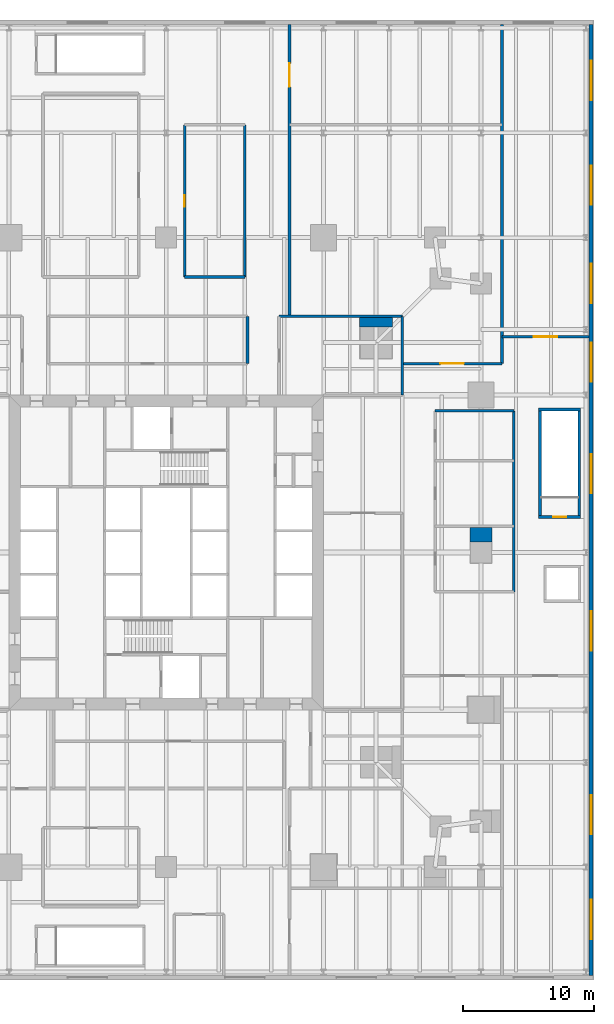
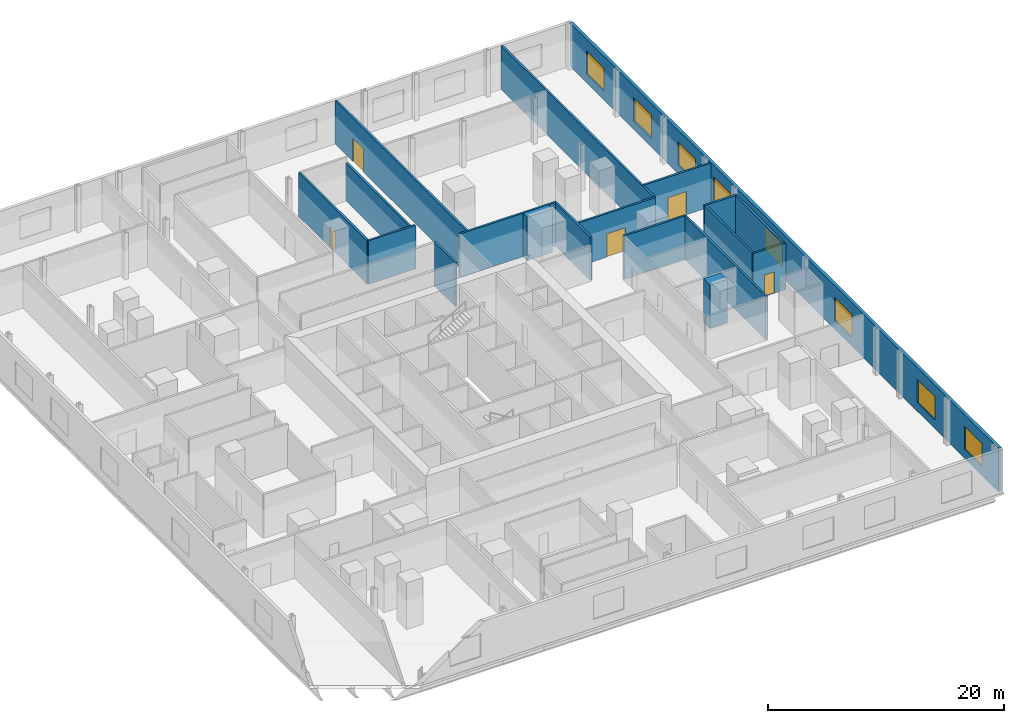
# One storey, part 13 of 15: 19 walls, 8 windows, 5 doors, 13 openings.
"""IFC4 building model written with IfcOpenShell, lengths in metres."""

from ifc_helpers import new_model, si_unit, direction, frame, frame_2d, origin, place, context, subcontext, project, spatial, rectangle, extrude, material, layer, layer_set, type_object, element, fill, save


model = new_model("IFC4")

# Units and contexts
model_context = context("Model", 3, precision=1e-05, world=origin(), true_north=direction((0.0, 1.0)))
body_context = subcontext(model_context, "Body", "Model", "MODEL_VIEW")
ifc_project = project(units=[si_unit("LENGTHUNIT", "METRE"), si_unit("AREAUNIT", "SQUARE_METRE"), si_unit("VOLUMEUNIT", "CUBIC_METRE"), si_unit("PLANEANGLEUNIT", "RADIAN"), si_unit("MASSUNIT", "GRAM", prefix="KILO")], contexts=[model_context])

# Site, building, storey
site_placement = place(None, origin())
site = spatial("IfcSite", under=ifc_project, at=site_placement, CompositionType="ELEMENT")
building_placement = place(site_placement, origin())
building = spatial("IfcBuilding", under=site, at=building_placement, Name="Fenwick Lantern Interchange", CompositionType="ELEMENT")
storey_placement = place(building_placement, frame((0.0, 0.0, 26.199951171875)))
storey = spatial("IfcBuildingStorey", under=building, at=storey_placement, Name="L05", CompositionType="ELEMENT", Elevation=26.199951171875)

# Walls
ifc_material_1 = material(Name="Fire-rated gypsum board encasement on steel studs, 2 hour", Category="steel")
ifc_layer_1 = layer(ifc_material_1, 1.699951171875)
ifc_layer_set_1 = layer_set([ifc_layer_1], Name="COLUMN PIER 1700")
wall_type_1 = type_object("IfcWallType", Name="COLUMN PIER 1700", PredefinedType="PARTITIONING", material=ifc_layer_set_1)
wall_1_placement = place(storey_placement, frame((49.0, 26.89990234375, 0.0), z_axis=(0.0, 0.0, 1.0), x_axis=(0.0, -1.0, 0.0)))
element("IfcWall", 1, at=wall_1_placement, inside=storey, type_object=wall_type_1, Name="L05/W/PIER/CE3", PredefinedType="PARTITIONING", context=body_context, shape_type="SweptSolid", body=[
    extrude(rectangle(XDim=1.099853515625, YDim=1.699951171875, at=frame_2d((0.5498046875, 0.0))), origin(), (0.0, 0.0, 1.0), 4.5),
])
ifc_layer_2 = layer(ifc_material_1, 2.5)
ifc_layer_set_2 = layer_set([ifc_layer_2], Name="COLUMN PIER 2500")
wall_type_2 = type_object("IfcWallType", Name="COLUMN PIER 2500", PredefinedType="PARTITIONING", material=ifc_layer_set_2)
wall_2_placement = place(storey_placement, frame((41.0, 42.89990234375, 0.0), z_axis=(0.0, 0.0, 1.0), x_axis=(0.0, -1.0, 0.0)))
element("IfcWall", 2, at=wall_2_placement, inside=storey, type_object=wall_type_2, Name="L05/W/PIER/M3", PredefinedType="PARTITIONING", context=body_context, shape_type="SweptSolid", body=[
    extrude(rectangle(XDim=0.699951171875, YDim=2.5, at=frame_2d((0.35009765625, 0.0))), origin(), (0.0, 0.0, 1.0), 4.5),
])

# Wall, openings, windows
ifc_material_2 = material(Name="Limestone ASTM C568 Classification II", Category="masonry")
ifc_layer_3 = layer(ifc_material_2, 0.074951171875)
ifc_material_3 = material(Name="Mineral wool insulation")
ifc_layer_4 = layer(ifc_material_3, 0.125)
ifc_material_4 = material(Name="Cold-formed galvanised steel studs", Category="steel")
ifc_layer_5 = layer(ifc_material_4, 0.10009765625)
ifc_layer_set_3 = layer_set([ifc_layer_3, ifc_layer_4, ifc_layer_5], Name="Limestone ASTM C568 Classification II")
wall_type_3 = type_object("IfcWallType", Name="LIMESTONE RAINSCREEN WALL 300", PredefinedType="SOLIDWALL", material=ifc_layer_set_3)
wall_3_placement = place(storey_placement, frame((57.39990234375, -7.25, 0.0), z_axis=(0.0, 0.0, 1.0), x_axis=(0.0, 1.0, 0.0)))
wall_3 = element("IfcWall", 3, at=wall_3_placement, inside=storey, type_object=wall_type_3, Name="L05/EW/E", PredefinedType="SOLIDWALL", context=body_context, shape_type="SweptSolid", body=[
    extrude(rectangle(XDim=72.5, YDim=0.300048828125, at=frame_2d((36.25, 0.0))), origin(), (0.0, 0.0, 1.0), 4.5),
])
opening_1_placement = place(wall_3_placement, frame((2.75, 0.0, 0.89990234375)))
opening_1 = element("IfcOpeningElement", 4, at=opening_1_placement, cuts=wall_3, Name="Opening W1", PredefinedType="OPENING", context=body_context, shape_type="SweptSolid", body=[
    extrude(rectangle(XDim=3.0, YDim=2.39990234375, at=frame_2d((1.5, 1.199951171875))), frame((0.0, 0.159912109375, 0.0), z_axis=(0.0, -1.0, 0.0), x_axis=(1.0, 0.0, 0.0)), (0.0, 0.0, 1.0), 0.320068359375),
])
opening_2_placement = place(wall_3_placement, frame((10.75, 0.0, 0.89990234375)))
opening_2 = element("IfcOpeningElement", 5, at=opening_2_placement, cuts=wall_3, Name="Opening W1", PredefinedType="OPENING", context=body_context, shape_type="SweptSolid", body=[
    extrude(rectangle(XDim=3.0, YDim=2.39990234375, at=frame_2d((1.5, 1.199951171875))), frame((0.0, 0.159912109375, 0.0), z_axis=(0.0, -1.0, 0.0), x_axis=(1.0, 0.0, 0.0)), (0.0, 0.0, 1.0), 0.320068359375),
])
opening_3_placement = place(wall_3_placement, frame((24.75, 0.0, 0.89990234375)))
opening_3 = element("IfcOpeningElement", 6, at=opening_3_placement, cuts=wall_3, Name="Opening W1", PredefinedType="OPENING", context=body_context, shape_type="SweptSolid", body=[
    extrude(rectangle(XDim=3.0, YDim=2.39990234375, at=frame_2d((1.5, 1.199951171875))), frame((0.0, 0.159912109375, 0.0), z_axis=(0.0, -1.0, 0.0), x_axis=(1.0, 0.0, 0.0)), (0.0, 0.0, 1.0), 0.320068359375),
])
opening_4_placement = place(wall_3_placement, frame((36.75, 0.0, 0.89990234375)))
opening_4 = element("IfcOpeningElement", 7, at=opening_4_placement, cuts=wall_3, Name="Opening W1", PredefinedType="OPENING", context=body_context, shape_type="SweptSolid", body=[
    extrude(rectangle(XDim=3.0, YDim=2.39990234375, at=frame_2d((1.5, 1.199951171875))), frame((0.0, 0.159912109375, 0.0), z_axis=(0.0, -1.0, 0.0), x_axis=(1.0, 0.0, 0.0)), (0.0, 0.0, 1.0), 0.320068359375),
])
opening_5_placement = place(wall_3_placement, frame((45.25, 0.0, 0.89990234375)))
opening_5 = element("IfcOpeningElement", 8, at=opening_5_placement, cuts=wall_3, Name="Opening W1", PredefinedType="OPENING", context=body_context, shape_type="SweptSolid", body=[
    extrude(rectangle(XDim=3.0, YDim=2.39990234375, at=frame_2d((1.5, 1.199951171875))), frame((0.0, 0.159912109375, 0.0), z_axis=(0.0, -1.0, 0.0), x_axis=(1.0, 0.0, 0.0)), (0.0, 0.0, 1.0), 0.320068359375),
])
opening_6_placement = place(wall_3_placement, frame((51.25, 0.0, 0.89990234375)))
opening_6 = element("IfcOpeningElement", 9, at=opening_6_placement, cuts=wall_3, Name="Opening W1", PredefinedType="OPENING", context=body_context, shape_type="SweptSolid", body=[
    extrude(rectangle(XDim=3.0, YDim=2.39990234375, at=frame_2d((1.5, 1.199951171875))), frame((0.0, 0.159912109375, 0.0), z_axis=(0.0, -1.0, 0.0), x_axis=(1.0, 0.0, 0.0)), (0.0, 0.0, 1.0), 0.320068359375),
])
opening_7_placement = place(wall_3_placement, frame((58.75, 0.0, 0.89990234375)))
opening_7 = element("IfcOpeningElement", 10, at=opening_7_placement, cuts=wall_3, Name="Opening W1", PredefinedType="OPENING", context=body_context, shape_type="SweptSolid", body=[
    extrude(rectangle(XDim=3.0, YDim=2.39990234375, at=frame_2d((1.5, 1.199951171875))), frame((0.0, 0.159912109375, 0.0), z_axis=(0.0, -1.0, 0.0), x_axis=(1.0, 0.0, 0.0)), (0.0, 0.0, 1.0), 0.320068359375),
])
opening_8_placement = place(wall_3_placement, frame((66.75, 0.0, 0.89990234375)))
opening_8 = element("IfcOpeningElement", 11, at=opening_8_placement, cuts=wall_3, Name="Opening W1", PredefinedType="OPENING", context=body_context, shape_type="SweptSolid", body=[
    extrude(rectangle(XDim=3.0, YDim=2.39990234375, at=frame_2d((1.5, 1.199951171875))), frame((0.0, 0.159912109375, 0.0), z_axis=(0.0, -1.0, 0.0), x_axis=(1.0, 0.0, 0.0)), (0.0, 0.0, 1.0), 0.320068359375),
])
ifc_material_5 = material(Name="Aluminium window, clear glass", Category="aluminium")
window_type = type_object("IfcWindowType", Name="PODIUM WINDOW 3000 X 2400", PartitioningType="SINGLE_PANEL", PredefinedType="WINDOW", material=ifc_material_5)
window_1_placement = place(opening_1_placement, origin())
window_1 = element("IfcWindow", 12, at=window_1_placement, inside=storey, type_object=window_type, Name="Podium window", OverallHeight=2.39990234375, OverallWidth=3.0, PartitioningType="SINGLE_PANEL", PredefinedType="WINDOW", context=body_context, shape_type="SweptSolid", body=[
    extrude(rectangle(XDim=3.0, YDim=2.39990234375, at=frame_2d((1.5, 1.199951171875))), frame((0.0, 0.030029296875, 0.0), z_axis=(0.0, -1.0, 0.0), x_axis=(1.0, 0.0, 0.0)), (0.0, 0.0, 1.0), 0.06005859375),
])
fill(opening_1, window_1)
window_2_placement = place(opening_2_placement, origin())
window_2 = element("IfcWindow", 13, at=window_2_placement, inside=storey, type_object=window_type, Name="Podium window", OverallHeight=2.39990234375, OverallWidth=3.0, PartitioningType="SINGLE_PANEL", PredefinedType="WINDOW", context=body_context, shape_type="SweptSolid", body=[
    extrude(rectangle(XDim=3.0, YDim=2.39990234375, at=frame_2d((1.5, 1.199951171875))), frame((0.0, 0.030029296875, 0.0), z_axis=(0.0, -1.0, 0.0), x_axis=(1.0, 0.0, 0.0)), (0.0, 0.0, 1.0), 0.06005859375),
])
fill(opening_2, window_2)
window_3_placement = place(opening_3_placement, origin())
window_3 = element("IfcWindow", 14, at=window_3_placement, inside=storey, type_object=window_type, Name="Podium window", OverallHeight=2.39990234375, OverallWidth=3.0, PartitioningType="SINGLE_PANEL", PredefinedType="WINDOW", context=body_context, shape_type="SweptSolid", body=[
    extrude(rectangle(XDim=3.0, YDim=2.39990234375, at=frame_2d((1.5, 1.199951171875))), frame((0.0, 0.030029296875, 0.0), z_axis=(0.0, -1.0, 0.0), x_axis=(1.0, 0.0, 0.0)), (0.0, 0.0, 1.0), 0.06005859375),
])
fill(opening_3, window_3)
window_4_placement = place(opening_4_placement, origin())
window_4 = element("IfcWindow", 15, at=window_4_placement, inside=storey, type_object=window_type, Name="Podium window", OverallHeight=2.39990234375, OverallWidth=3.0, PartitioningType="SINGLE_PANEL", PredefinedType="WINDOW", context=body_context, shape_type="SweptSolid", body=[
    extrude(rectangle(XDim=3.0, YDim=2.39990234375, at=frame_2d((1.5, 1.199951171875))), frame((0.0, 0.030029296875, 0.0), z_axis=(0.0, -1.0, 0.0), x_axis=(1.0, 0.0, 0.0)), (0.0, 0.0, 1.0), 0.06005859375),
])
fill(opening_4, window_4)
window_5_placement = place(opening_5_placement, origin())
window_5 = element("IfcWindow", 16, at=window_5_placement, inside=storey, type_object=window_type, Name="Podium window", OverallHeight=2.39990234375, OverallWidth=3.0, PartitioningType="SINGLE_PANEL", PredefinedType="WINDOW", context=body_context, shape_type="SweptSolid", body=[
    extrude(rectangle(XDim=3.0, YDim=2.39990234375, at=frame_2d((1.5, 1.199951171875))), frame((0.0, 0.030029296875, 0.0), z_axis=(0.0, -1.0, 0.0), x_axis=(1.0, 0.0, 0.0)), (0.0, 0.0, 1.0), 0.06005859375),
])
fill(opening_5, window_5)
window_6_placement = place(opening_6_placement, origin())
window_6 = element("IfcWindow", 17, at=window_6_placement, inside=storey, type_object=window_type, Name="Podium window", OverallHeight=2.39990234375, OverallWidth=3.0, PartitioningType="SINGLE_PANEL", PredefinedType="WINDOW", context=body_context, shape_type="SweptSolid", body=[
    extrude(rectangle(XDim=3.0, YDim=2.39990234375, at=frame_2d((1.5, 1.199951171875))), frame((0.0, 0.030029296875, 0.0), z_axis=(0.0, -1.0, 0.0), x_axis=(1.0, 0.0, 0.0)), (0.0, 0.0, 1.0), 0.06005859375),
])
fill(opening_6, window_6)
window_7_placement = place(opening_7_placement, origin())
window_7 = element("IfcWindow", 18, at=window_7_placement, inside=storey, type_object=window_type, Name="Podium window", OverallHeight=2.39990234375, OverallWidth=3.0, PartitioningType="SINGLE_PANEL", PredefinedType="WINDOW", context=body_context, shape_type="SweptSolid", body=[
    extrude(rectangle(XDim=3.0, YDim=2.39990234375, at=frame_2d((1.5, 1.199951171875))), frame((0.0, 0.030029296875, 0.0), z_axis=(0.0, -1.0, 0.0), x_axis=(1.0, 0.0, 0.0)), (0.0, 0.0, 1.0), 0.06005859375),
])
fill(opening_7, window_7)
window_8_placement = place(opening_8_placement, origin())
window_8 = element("IfcWindow", 19, at=window_8_placement, inside=storey, type_object=window_type, Name="Podium window", OverallHeight=2.39990234375, OverallWidth=3.0, PartitioningType="SINGLE_PANEL", PredefinedType="WINDOW", context=body_context, shape_type="SweptSolid", body=[
    extrude(rectangle(XDim=3.0, YDim=2.39990234375, at=frame_2d((1.5, 1.199951171875))), frame((0.0, 0.030029296875, 0.0), z_axis=(0.0, -1.0, 0.0), x_axis=(1.0, 0.0, 0.0)), (0.0, 0.0, 1.0), 0.06005859375),
])
fill(opening_8, window_8)

# Wall, opening, door
ifc_material_6 = material(Name="Gypsum board on steel studs, 1 hour", Category="steel")
ifc_layer_6 = layer(ifc_material_6, 0.199951171875)
ifc_layer_set_4 = layer_set([ifc_layer_6], Name="ROOM WALL 200")
wall_type_4 = type_object("IfcWallType", Name="ROOM WALL 200", PredefinedType="PARTITIONING", material=ifc_layer_set_4)
wall_4_placement = place(storey_placement, frame((26.39990234375, 46.0, 0.0), z_axis=(0.0, 0.0, 1.0), x_axis=(0.0, 1.0, 0.0)))
wall_4 = element("IfcWall", 20, at=wall_4_placement, inside=storey, type_object=wall_type_4, Name="L05/W/POD/X26.4-1", PredefinedType="PARTITIONING", context=body_context, shape_type="SweptSolid", body=[
    extrude(rectangle(XDim=11.60009765625, YDim=0.199951171875, at=frame_2d((5.800048828125, 0.0))), origin(), (0.0, 0.0, 1.0), 4.5),
])
opening_9_placement = place(wall_4_placement, frame((5.35009765625, 0.0, 0.0)))
opening_9 = element("IfcOpeningElement", 21, at=opening_9_placement, cuts=wall_4, Name="Opening L05-D047", PredefinedType="OPENING", context=body_context, shape_type="SweptSolid", body=[
    extrude(rectangle(XDim=0.89990234375, YDim=2.199951171875, at=frame_2d((0.449951171875, 1.10009765625))), frame((0.0, 0.10986328125, 0.0), z_axis=(0.0, -1.0, 0.0), x_axis=(1.0, 0.0, 0.0)), (0.0, 0.0, 1.0), 0.219970703125),
])
ifc_material_7 = material(Name="Hardwood door and steel frame", Category="steel")
door_type_1 = type_object("IfcDoorType", Name="OFFICE DOOR 900 X 2200", OperationType="SINGLE_SWING_LEFT", PredefinedType="DOOR", material=ifc_material_7)
door_1_placement = place(opening_9_placement, frame((0.89990234375, 0.0, 0.0), z_axis=(0.0, 0.0, 1.0), x_axis=(-1.0, 0.0, 0.0)))
door_1 = element("IfcDoor", 22, at=door_1_placement, inside=storey, type_object=door_type_1, Name="Office door", OperationType="SINGLE_SWING_RIGHT", OverallHeight=2.199951171875, OverallWidth=0.89990234375, PredefinedType="DOOR", context=body_context, shape_type="SweptSolid", body=[
    extrude(rectangle(XDim=0.89990234375, YDim=2.199951171875, at=frame_2d((0.449951171875, 1.10009765625))), frame((0.0, 0.02490234375, 0.0), z_axis=(0.0, -1.0, 0.0), x_axis=(1.0, 0.0, 0.0)), (0.0, 0.0, 1.0), 0.050048828125),
])
fill(opening_9, door_1)

# Walls
wall_5_placement = place(storey_placement, frame((31.0, 46.0, 0.0), z_axis=(0.0, 0.0, 1.0), x_axis=(0.0, 1.0, 0.0)))
element("IfcWall", 23, at=wall_5_placement, inside=storey, type_object=wall_type_4, Name="L05/W/POD/X31-1", PredefinedType="PARTITIONING", context=body_context, shape_type="SweptSolid", body=[
    extrude(rectangle(XDim=11.60009765625, YDim=0.199951171875, at=frame_2d((5.800048828125, 0.0))), origin(), (0.0, 0.0, 1.0), 3.89306640625),
])
wall_6_placement = place(storey_placement, frame((31.199951171875, 39.39990234375, 0.0), z_axis=(0.0, 0.0, 1.0), x_axis=(0.0, 1.0, 0.0)))
element("IfcWall", 24, at=wall_6_placement, inside=storey, type_object=wall_type_4, Name="L05/W/POD/X31.2-1", PredefinedType="PARTITIONING", context=body_context, shape_type="SweptSolid", body=[
    extrude(rectangle(XDim=3.60009765625, YDim=0.199951171875, at=frame_2d((1.800048828125, 0.0))), origin(), (0.0, 0.0, 1.0), 4.5),
])

# Wall, opening, door
wall_7_placement = place(storey_placement, frame((34.39990234375, 43.0, 0.0), z_axis=(0.0, 0.0, 1.0), x_axis=(0.0, 1.0, 0.0)))
wall_7 = element("IfcWall", 25, at=wall_7_placement, inside=storey, type_object=wall_type_4, Name="L05/W/POD/X34.4-2", PredefinedType="PARTITIONING", context=body_context, shape_type="SweptSolid", body=[
    extrude(rectangle(XDim=22.25, YDim=0.199951171875, at=frame_2d((11.125, 0.0))), origin(), (0.0, 0.0, 1.0), 4.5),
])
opening_10_placement = place(wall_7_placement, frame((17.5, 0.0, 0.0)))
opening_10 = element("IfcOpeningElement", 26, at=opening_10_placement, cuts=wall_7, Name="Opening L05-D031", PredefinedType="OPENING", context=body_context, shape_type="SweptSolid", body=[
    extrude(rectangle(XDim=1.800048828125, YDim=2.39990234375, at=frame_2d((0.89990234375, 1.199951171875))), frame((0.0, 0.10986328125, 0.0), z_axis=(0.0, -1.0, 0.0), x_axis=(1.0, 0.0, 0.0)), (0.0, 0.0, 1.0), 0.219970703125),
])
ifc_material_8 = material(Name="Steel door and frame", Category="steel")
door_type_2 = type_object("IfcDoorType", Name="ROOM DOOR PAIR 1800 X 2400", OperationType="DOUBLE_DOOR_SINGLE_SWING", PredefinedType="DOOR", material=ifc_material_8)
door_2_placement = place(opening_10_placement, origin())
door_2 = element("IfcDoor", 27, at=door_2_placement, inside=storey, type_object=door_type_2, Name="Room door pair", OperationType="DOUBLE_DOOR_SINGLE_SWING", OverallHeight=2.39990234375, OverallWidth=1.800048828125, PredefinedType="DOOR", context=body_context, shape_type="SweptSolid", body=[
    extrude(rectangle(XDim=1.800048828125, YDim=2.39990234375, at=frame_2d((0.89990234375, 1.199951171875))), frame((0.0, 0.02490234375, 0.0), z_axis=(0.0, -1.0, 0.0), x_axis=(1.0, 0.0, 0.0)), (0.0, 0.0, 1.0), 0.050048828125),
])
fill(opening_10, door_2)

# Walls
wall_8_placement = place(storey_placement, frame((43.0, 37.0, 0.0), z_axis=(0.0, 0.0, 1.0), x_axis=(0.0, 1.0, 0.0)))
element("IfcWall", 28, at=wall_8_placement, inside=storey, type_object=wall_type_4, Name="L05/W/POD/X43-2", PredefinedType="PARTITIONING", context=body_context, shape_type="SweptSolid", body=[
    extrude(rectangle(XDim=6.0, YDim=0.199951171875, at=frame_2d((3.0, 0.0))), origin(), (0.0, 0.0, 1.0), 4.5),
])
wall_9_placement = place(storey_placement, frame((50.60009765625, 39.39990234375, 0.0), z_axis=(0.0, 0.0, 1.0), x_axis=(0.0, 1.0, 0.0)))
element("IfcWall", 29, at=wall_9_placement, inside=storey, type_object=wall_type_4, Name="L05/W/POD/X50.6-2", PredefinedType="PARTITIONING", context=body_context, shape_type="SweptSolid", body=[
    extrude(rectangle(XDim=25.85009765625, YDim=0.199951171875, at=frame_2d((12.925048828125, 0.0))), origin(), (0.0, 0.0, 1.0), 4.5),
])
wall_10_placement = place(storey_placement, frame((51.5, 22.0, 0.0), z_axis=(0.0, 0.0, 1.0), x_axis=(0.0, 1.0, 0.0)))
element("IfcWall", 30, at=wall_10_placement, inside=storey, type_object=wall_type_4, Name="L05/W/POD/X51.5-1", PredefinedType="PARTITIONING", context=body_context, shape_type="SweptSolid", body=[
    extrude(rectangle(XDim=13.800048828125, YDim=0.199951171875, at=frame_2d((6.89990234375, 0.0))), origin(), (0.0, 0.0, 1.0), 4.5),
])
wall_11_placement = place(storey_placement, frame((45.5, 35.800048828125, 0.0), z_axis=(0.0, 0.0, 1.0), x_axis=(1.0, 0.0, 0.0)))
element("IfcWall", 31, at=wall_11_placement, inside=storey, type_object=wall_type_4, Name="L05/W/POD/Y35.8-1", PredefinedType="PARTITIONING", context=body_context, shape_type="SweptSolid", body=[
    extrude(rectangle(XDim=6.0, YDim=0.199951171875, at=frame_2d((3.0, 0.0))), origin(), (0.0, 0.0, 1.0), 4.5),
])

# Wall, opening, door
wall_12_placement = place(storey_placement, frame((43.0, 39.39990234375, 0.0), z_axis=(0.0, 0.0, 1.0), x_axis=(1.0, 0.0, 0.0)))
wall_12 = element("IfcWall", 32, at=wall_12_placement, inside=storey, type_object=wall_type_4, Name="L05/W/POD/Y39.4-2", PredefinedType="PARTITIONING", context=body_context, shape_type="SweptSolid", body=[
    extrude(rectangle(XDim=7.60009765625, YDim=0.199951171875, at=frame_2d((3.800048828125, 0.0))), origin(), (0.0, 0.0, 1.0), 4.5),
])
opening_11_placement = place(wall_12_placement, frame((2.89990234375, 0.0, 0.0)))
opening_11 = element("IfcOpeningElement", 33, at=opening_11_placement, cuts=wall_12, Name="Opening L05-D029", PredefinedType="OPENING", context=body_context, shape_type="SweptSolid", body=[
    extrude(rectangle(XDim=1.800048828125, YDim=2.39990234375, at=frame_2d((0.89990234375, 1.199951171875))), frame((0.0, 0.10986328125, 0.0), z_axis=(0.0, -1.0, 0.0), x_axis=(1.0, 0.0, 0.0)), (0.0, 0.0, 1.0), 0.219970703125),
])
door_3_placement = place(opening_11_placement, frame((1.800048828125, 0.0, 0.0), z_axis=(0.0, 0.0, 1.0), x_axis=(-1.0, 0.0, 0.0)))
door_3 = element("IfcDoor", 34, at=door_3_placement, inside=storey, type_object=door_type_2, Name="Room door pair", OperationType="DOUBLE_DOOR_SINGLE_SWING", OverallHeight=2.39990234375, OverallWidth=1.800048828125, PredefinedType="DOOR", context=body_context, shape_type="SweptSolid", body=[
    extrude(rectangle(XDim=1.800048828125, YDim=2.39990234375, at=frame_2d((0.89990234375, 1.199951171875))), frame((0.0, 0.02490234375, 0.0), z_axis=(0.0, -1.0, 0.0), x_axis=(1.0, 0.0, 0.0)), (0.0, 0.0, 1.0), 0.050048828125),
])
fill(opening_11, door_3)

wall_13_placement = place(storey_placement, frame((50.60009765625, 41.449951171875, 0.0), z_axis=(0.0, 0.0, 1.0), x_axis=(1.0, 0.0, 0.0)))
wall_13 = element("IfcWall", 35, at=wall_13_placement, inside=storey, type_object=wall_type_4, Name="L05/W/POD/Y41.45-1", PredefinedType="PARTITIONING", context=body_context, shape_type="SweptSolid", body=[
    extrude(rectangle(XDim=6.64990234375, YDim=0.199951171875, at=frame_2d((3.324951171875, 0.0))), origin(), (0.0, 0.0, 1.0), 4.5),
])
opening_12_placement = place(wall_13_placement, frame((2.425048828125, 0.0, 0.0)))
opening_12 = element("IfcOpeningElement", 36, at=opening_12_placement, cuts=wall_13, Name="Opening L05-D030", PredefinedType="OPENING", context=body_context, shape_type="SweptSolid", body=[
    extrude(rectangle(XDim=1.800048828125, YDim=2.39990234375, at=frame_2d((0.89990234375, 1.199951171875))), frame((0.0, 0.10986328125, 0.0), z_axis=(0.0, -1.0, 0.0), x_axis=(1.0, 0.0, 0.0)), (0.0, 0.0, 1.0), 0.219970703125),
])
door_4_placement = place(opening_12_placement, frame((1.800048828125, 0.0, 0.0), z_axis=(0.0, 0.0, 1.0), x_axis=(-1.0, 0.0, 0.0)))
door_4 = element("IfcDoor", 37, at=door_4_placement, inside=storey, type_object=door_type_2, Name="Room door pair", OperationType="DOUBLE_DOOR_SINGLE_SWING", OverallHeight=2.39990234375, OverallWidth=1.800048828125, PredefinedType="DOOR", context=body_context, shape_type="SweptSolid", body=[
    extrude(rectangle(XDim=1.800048828125, YDim=2.39990234375, at=frame_2d((0.89990234375, 1.199951171875))), frame((0.0, 0.02490234375, 0.0), z_axis=(0.0, -1.0, 0.0), x_axis=(1.0, 0.0, 0.0)), (0.0, 0.0, 1.0), 0.050048828125),
])
fill(opening_12, door_4)

# Walls
wall_14_placement = place(storey_placement, frame((33.60009765625, 43.0, 0.0), z_axis=(0.0, 0.0, 1.0), x_axis=(1.0, 0.0, 0.0)))
element("IfcWall", 38, at=wall_14_placement, inside=storey, type_object=wall_type_4, Name="L05/W/POD/Y43-3", PredefinedType="PARTITIONING", context=body_context, shape_type="SweptSolid", body=[
    extrude(rectangle(XDim=9.39990234375, YDim=0.199951171875, at=frame_2d((4.699951171875, 0.0))), origin(), (0.0, 0.0, 1.0), 4.5),
])
wall_15_placement = place(storey_placement, frame((26.39990234375, 46.0, 0.0), z_axis=(0.0, 0.0, 1.0), x_axis=(1.0, 0.0, 0.0)))
element("IfcWall", 39, at=wall_15_placement, inside=storey, type_object=wall_type_4, Name="L05/W/POD/Y46-2", PredefinedType="PARTITIONING", context=body_context, shape_type="SweptSolid", body=[
    extrude(rectangle(XDim=4.60009765625, YDim=0.199951171875, at=frame_2d((2.300048828125, 0.0))), origin(), (0.0, 0.0, 1.0), 4.5),
])

# Wall, opening, door
ifc_material_9 = material(Name="Reinforced concrete masonry ASTM C90 Grade N", Category="masonry")
ifc_layer_7 = layer(ifc_material_9, 0.199951171875)
ifc_layer_set_5 = layer_set([ifc_layer_7], Name="Reinforced concrete masonry ASTM C90 Grade N")
wall_type_5 = type_object("IfcWallType", Name="STAIR ENCLOSURE 200", PredefinedType="SOLIDWALL", material=ifc_layer_set_5)
wall_16_placement = place(storey_placement, frame((53.39990234375, 27.699951171875, 0.0), z_axis=(0.0, 0.0, 1.0), x_axis=(1.0, 0.0, 0.0)))
wall_16 = element("IfcWall", 40, at=wall_16_placement, inside=storey, type_object=wall_type_5, Name="L05/W/PS4/S", PredefinedType="SOLIDWALL", context=body_context, shape_type="SweptSolid", body=[
    extrude(rectangle(XDim=3.2001953125, YDim=0.199951171875, at=frame_2d((1.60009765625, 0.0))), origin(), (0.0, 0.0, 1.0), 4.800048828125),
])
opening_13_placement = place(wall_16_placement, frame((1.10009765625, 0.0, 0.0)))
opening_13 = element("IfcOpeningElement", 41, at=opening_13_placement, cuts=wall_16, Name="Opening L05-D021", PredefinedType="OPENING", context=body_context, shape_type="SweptSolid", body=[
    extrude(rectangle(XDim=1.0, YDim=2.199951171875, at=frame_2d((0.5, 1.10009765625))), frame((0.0, 0.10986328125, 0.0), z_axis=(0.0, -1.0, 0.0), x_axis=(1.0, 0.0, 0.0)), (0.0, 0.0, 1.0), 0.219970703125),
])
door_type_3 = type_object("IfcDoorType", Name="STAIR DOOR 1000 X 2200", OperationType="SINGLE_SWING_LEFT", PredefinedType="DOOR", material=ifc_material_8)
door_5_placement = place(opening_13_placement, origin())
door_5 = element("IfcDoor", 42, at=door_5_placement, inside=storey, type_object=door_type_3, Name="Stair door", OperationType="SINGLE_SWING_LEFT", OverallHeight=2.199951171875, OverallWidth=1.0, PredefinedType="DOOR", context=body_context, shape_type="SweptSolid", body=[
    extrude(rectangle(XDim=1.0, YDim=2.199951171875, at=frame_2d((0.5, 1.10009765625))), frame((0.0, 0.02490234375, 0.0), z_axis=(0.0, -1.0, 0.0), x_axis=(1.0, 0.0, 0.0)), (0.0, 0.0, 1.0), 0.050048828125),
])
fill(opening_13, door_5)

# Walls
wall_17_placement = place(storey_placement, frame((56.5, 27.800048828125, 0.0), z_axis=(0.0, 0.0, 1.0), x_axis=(0.0, 1.0, 0.0)))
element("IfcWall", 43, at=wall_17_placement, inside=storey, type_object=wall_type_5, Name="L05/W/PS4/E", PredefinedType="SOLIDWALL", context=body_context, shape_type="SweptSolid", body=[
    extrude(rectangle(XDim=8.0, YDim=0.199951171875, at=frame_2d((4.0, 0.0))), origin(), (0.0, 0.0, 1.0), 4.800048828125),
])
wall_18_placement = place(storey_placement, frame((56.60009765625, 35.89990234375, 0.0), z_axis=(0.0, 0.0, 1.0), x_axis=(-1.0, 0.0, 0.0)))
element("IfcWall", 44, at=wall_18_placement, inside=storey, type_object=wall_type_5, Name="L05/W/PS4/N", PredefinedType="SOLIDWALL", context=body_context, shape_type="SweptSolid", body=[
    extrude(rectangle(XDim=3.2001953125, YDim=0.199951171875, at=frame_2d((1.60009765625, 0.0))), origin(), (0.0, 0.0, 1.0), 4.800048828125),
])
wall_19_placement = place(storey_placement, frame((53.5, 35.800048828125, 0.0), z_axis=(0.0, 0.0, 1.0), x_axis=(0.0, -1.0, 0.0)))
element("IfcWall", 45, at=wall_19_placement, inside=storey, type_object=wall_type_5, Name="L05/W/PS4/W", PredefinedType="SOLIDWALL", context=body_context, shape_type="SweptSolid", body=[
    extrude(rectangle(XDim=8.0, YDim=0.199951171875, at=frame_2d((4.0, 0.0))), origin(), (0.0, 0.0, 1.0), 4.800048828125),
])

save(model, "model.ifc")
